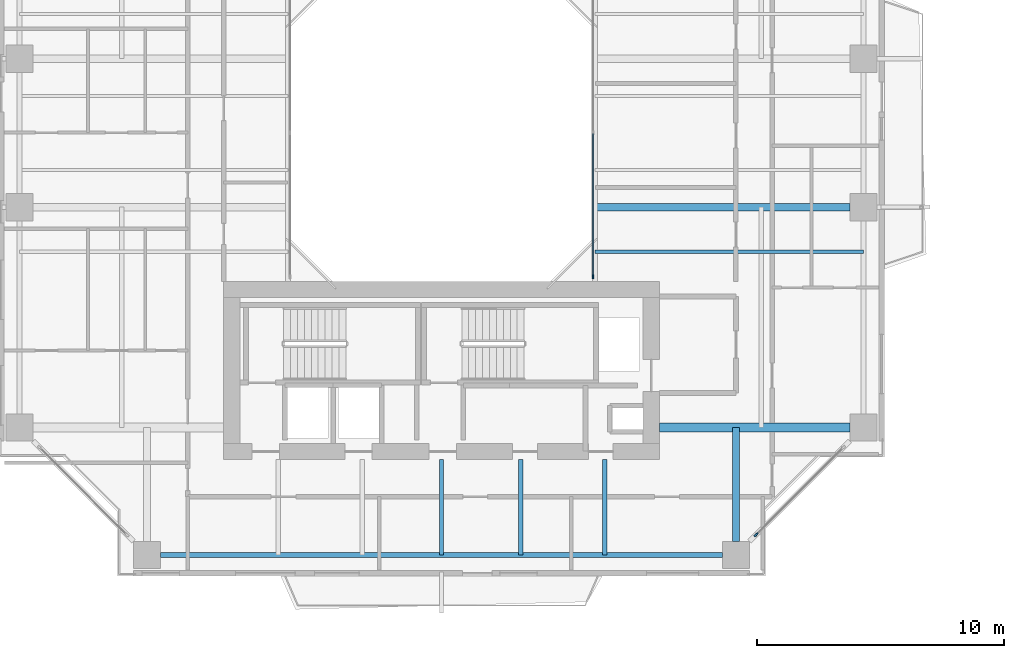
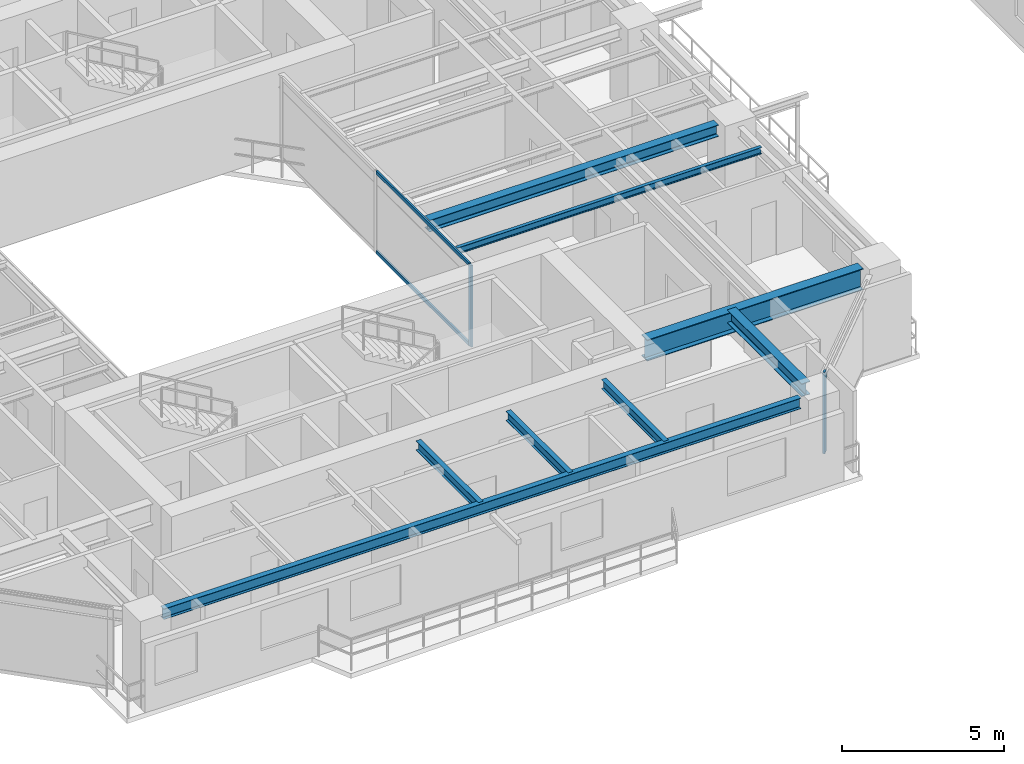
# One storey, part 4 of 24: 8 beams, 4 members, 2 elements without a shape of their own.
"""IFC4 building model written with IfcOpenShell, lengths in metres."""

import ifcopenshell
import ifcopenshell.guid

model = None  # the IFC model being written
_history = None  # IfcOwnerHistory: only IFC2X3 demands one
_inside = {}  # id of a spatial element -> (the spatial element, [elements in it])
_under = {}  # id of a project, library or spatial element -> (it, [spatial elements below it])
_declared = {}  # id of a project -> (the project, [libraries it declares])
_typed = {}  # id of a type object -> (the type object, [elements of that type])
_made_of = {}  # id of a material, layer set ... -> (it, [elements and type objects made of it])


def new_model(schema):
    """Start an empty IFC model of exactly this schema.

    Asked for "IFC4X3", IfcOpenShell would pick the latest addendum, in which some entities
    have other attributes; the version numbers below select the first issue.
    IFC2X3 requires an IfcOwnerHistory on every rooted entity: one is made here for all.
    """
    global model, _history
    if schema == "IFC4X3":
        model = ifcopenshell.file(schema_version=(4, 3, 0, 0))
    else:
        model = ifcopenshell.file(schema=schema)
    _inside.clear()
    _under.clear()
    _declared.clear()
    _typed.clear()
    _made_of.clear()
    _history = None
    if model.schema == "IFC2X3":
        org = make("IfcOrganization", Name="unknown")
        user = make(
            "IfcPersonAndOrganization",
            ThePerson=make("IfcPerson", FamilyName="unknown"),
            TheOrganization=org,
        )
        app = make(
            "IfcApplication",
            ApplicationDeveloper=org,
            Version="unknown",
            ApplicationFullName="unknown",
            ApplicationIdentifier="unknown",
        )
        _history = make(
            "IfcOwnerHistory",
            OwningUser=user,
            OwningApplication=app,
            ChangeAction="ADDED",
            CreationDate=0,
        )
    return model


def make(cls, **values):
    """One entity of the class cls with the attributes given. An attribute that is None is left unset."""
    return model.create_entity(
        cls, **{name: value for name, value in values.items() if value is not None}
    )


def rooted(cls, **values):
    """An entity with a GlobalId (a new one), such as an element, a storey or a relation."""
    return make(cls, GlobalId=ifcopenshell.guid.new(), OwnerHistory=_history, **values)


def si_unit(unit_type, name, prefix=None):
    """IfcSIUnit, for example si_unit("LENGTHUNIT", "METRE", prefix="MILLI")."""
    return make("IfcSIUnit", UnitType=unit_type, Prefix=prefix, Name=name)


def assignment(units):
    """IfcUnitAssignment: the units of a project."""
    return None if units is None else make("IfcUnitAssignment", Units=units)


def point(xyz):
    """IfcCartesianPoint."""
    return None if xyz is None else make("IfcCartesianPoint", Coordinates=xyz)


def direction(xyz):
    """IfcDirection."""
    return None if xyz is None else make("IfcDirection", DirectionRatios=xyz)


def frame(location, z_axis=None, x_axis=None):
    """IfcAxis2Placement3D, a coordinate frame: its origin and axes. An axis left out is left unset."""
    return make(
        "IfcAxis2Placement3D",
        Location=point(location),
        Axis=direction(z_axis),
        RefDirection=direction(x_axis),
    )


def frame_2d(location, x_axis=None):
    """IfcAxis2Placement2D, a coordinate frame in the plane: its origin and x axis."""
    return make(
        "IfcAxis2Placement2D", Location=point(location), RefDirection=direction(x_axis)
    )


def origin():
    """The frame at (0, 0, 0) with its axes left unset."""
    return frame((0.0, 0.0, 0.0))


def origin_2d():
    """The frame at (0, 0) in the plane with its x axis left unset."""
    return frame_2d((0.0, 0.0))


def place(relative_to, where):
    """IfcLocalPlacement: puts the frame where relative to a parent placement (None: the world)."""
    return make(
        "IfcLocalPlacement", PlacementRelTo=relative_to, RelativePlacement=where
    )


def context(
    kind, dimensions, precision=None, world=None, true_north=None, identifier=None
):
    """IfcGeometricRepresentationContext, for example the 3D "Model" context."""
    return make(
        "IfcGeometricRepresentationContext",
        ContextIdentifier=identifier,
        ContextType=kind,
        CoordinateSpaceDimension=dimensions,
        Precision=precision,
        WorldCoordinateSystem=world,
        TrueNorth=true_north,
    )


def subcontext(parent, identifier, kind, view, scale=None):
    """IfcGeometricRepresentationSubContext, for example "Body" below "Model"."""
    return make(
        "IfcGeometricRepresentationSubContext",
        ContextIdentifier=identifier,
        ContextType=kind,
        ParentContext=parent,
        TargetScale=scale,
        TargetView=view,
    )


def project(units=None, contexts=None):
    """IfcProject with its units and contexts."""
    return rooted(
        "IfcProject",
        Name="project",
        RepresentationContexts=contexts,
        UnitsInContext=assignment(units),
    )


def spatial(cls, under=None, at=None, **own):
    """A site, building, storey or space (cls), placed at a placement, below another one or the project."""
    s = rooted(cls, ObjectPlacement=at, **own)
    if under is not None:
        _under.setdefault(under.id(), (under, []))[1].append(s)
    return s


def profile(cls, at=None, kind="AREA", **sizes):
    """A parametric profile (cls). Its sizes go by their IFC names, for example OverallWidth=200.0."""
    return make(cls, ProfileType=kind, Position=at, **sizes)


def rectangle(**sizes):
    """IfcRectangleProfileDef."""
    return profile("IfcRectangleProfileDef", **sizes)


def i_section(**sizes):
    """IfcIShapeProfileDef."""
    return profile("IfcIShapeProfileDef", **sizes)


def extrude(swept, where, along, depth):
    """IfcExtrudedAreaSolid: the profile swept, set in the frame where, extruded along a direction by depth."""
    return make(
        "IfcExtrudedAreaSolid",
        SweptArea=swept,
        Position=where,
        ExtrudedDirection=direction(along),
        Depth=depth,
    )


def shape(context_of_items, identifier, shape_type, items):
    """IfcShapeRepresentation: the items that make up one representation, for example the "Body"."""
    return make(
        "IfcShapeRepresentation",
        ContextOfItems=context_of_items,
        RepresentationIdentifier=identifier,
        RepresentationType=shape_type,
        Items=items,
    )


def source(mapping_origin, context_of_items, identifier, shape_type, items):
    """IfcRepresentationMap: a shape defined once, which mapped items show again and again."""
    return make(
        "IfcRepresentationMap",
        MappingOrigin=mapping_origin,
        MappedRepresentation=shape(context_of_items, identifier, shape_type, items),
    )


def transform(
    local_origin,
    x_axis=None,
    y_axis=None,
    z_axis=None,
    scale=None,
    scale2=None,
    scale3=None,
    uniform=True,
):
    """IfcCartesianTransformationOperator3D, or its non-uniform kind. x_axis, y_axis, z_axis: its Axis1, 2, 3."""
    if uniform:
        return make(
            "IfcCartesianTransformationOperator3D",
            Axis1=direction(x_axis),
            Axis2=direction(y_axis),
            LocalOrigin=point(local_origin),
            Scale=scale,
            Axis3=direction(z_axis),
        )
    return make(
        "IfcCartesianTransformationOperator3DnonUniform",
        Axis1=direction(x_axis),
        Axis2=direction(y_axis),
        LocalOrigin=point(local_origin),
        Scale=scale,
        Axis3=direction(z_axis),
        Scale2=scale2,
        Scale3=scale3,
    )


def mapped(mapping_source, mapping_target):
    """IfcMappedItem: shows the shape of a source again, moved by a transform."""
    return make(
        "IfcMappedItem", MappingSource=mapping_source, MappingTarget=mapping_target
    )


def material(Name=None, Category=None):
    """IfcMaterial."""
    return make("IfcMaterial", Name=Name, Category=Category)


def layer(
    of_material, thickness, ventilated=None, Name=None, Category=None, Priority=None
):
    """IfcMaterialLayer: one layer of a wall or slab, of a material (None: an air gap)."""
    return make(
        "IfcMaterialLayer",
        Material=of_material,
        LayerThickness=thickness,
        IsVentilated=ventilated,
        Name=Name,
        Category=Category,
        Priority=Priority,
    )


def layer_set(layers, Name=None):
    """IfcMaterialLayerSet."""
    return make("IfcMaterialLayerSet", MaterialLayers=layers, LayerSetName=Name)


def material_profile(
    of_material, cross_section, Name=None, Category=None, Priority=None
):
    """IfcMaterialProfile: a cross section and its material."""
    return make(
        "IfcMaterialProfile",
        Name=Name,
        Material=of_material,
        Profile=cross_section,
        Priority=Priority,
        Category=Category,
    )


def profile_set(profiles, Name=None, composite=None):
    """IfcMaterialProfileSet."""
    return make(
        "IfcMaterialProfileSet",
        Name=Name,
        MaterialProfiles=profiles,
        CompositeProfile=composite,
    )


def made_of(thing, what):
    """Note that an element or type object is made of a material, layer set ...; save() writes the relation."""
    if what is not None:
        _made_of.setdefault(what.id(), (what, []))[1].append(thing)
    return thing


def type_object(cls, material=None, **own):
    """A type object (cls), such as IfcWallType, which elements share."""
    return made_of(rooted(cls, **own), material)


def element(
    cls,
    number,
    at=None,
    inside=None,
    cuts=None,
    type_object=None,
    material=None,
    context=None,
    identifier="Body",
    shape_type=None,
    held_by="IfcProductDefinitionShape",
    body=None,
    shapes=None,
    **own,
):
    """One element of the class cls, such as IfcWall. Its Tag is "e" and its number.

    at: its placement. inside: the storey or other place that contains it. cuts: it is an
    opening in that element (IfcRelVoidsElement). A single representation is given by context,
    identifier, shape_type and body (its items); several are given by shapes. held_by: the class
    of the entity that holds the representations. save() writes the other relations.
    """
    e = rooted(cls, Tag="e%d" % number, ObjectPlacement=at, **own)
    if body is not None:
        shapes = [shape(context, identifier, shape_type, body)]
    if shapes is not None:
        e.Representation = make(held_by, Representations=shapes)
    if inside is not None:
        _inside.setdefault(inside.id(), (inside, []))[1].append(e)
    if cuts is not None:
        rooted(
            "IfcRelVoidsElement", RelatingBuildingElement=cuts, RelatedOpeningElement=e
        )
    if type_object is not None:
        _typed.setdefault(type_object.id(), (type_object, []))[1].append(e)
    return made_of(e, material)


def aggregate(whole, parts):
    """IfcRelAggregates: a whole, such as a stair, and the parts it consists of."""
    return rooted("IfcRelAggregates", RelatingObject=whole, RelatedObjects=parts)


def save(model, path):
    """Write the relations noted so far, then the file.

    IfcRelAggregates (storeys below a building ...), IfcRelContainedInSpatialStructure (elements
    in a storey), IfcRelDefinesByType, IfcRelAssociatesMaterial and IfcRelDeclares: one each for
    every whole, place, type object, material and project.
    """
    for whole, parts in _under.values():
        aggregate(whole, parts)
    for where, things in _inside.values():
        rooted(
            "IfcRelContainedInSpatialStructure",
            RelatedElements=things,
            RelatingStructure=where,
        )
    for kind, things in _typed.values():
        rooted("IfcRelDefinesByType", RelatedObjects=things, RelatingType=kind)
    for what, things in _made_of.values():
        rooted("IfcRelAssociatesMaterial", RelatedObjects=things, RelatingMaterial=what)
    for by, libraries in _declared.values():
        rooted("IfcRelDeclares", RelatingContext=by, RelatedDefinitions=libraries)
    model.write(path)


model = new_model("IFC4")

# Units and contexts
model_context = context("Model", 3, precision=1e-05, world=origin(), true_north=direction((0.0, 1.0)))
body_context = subcontext(model_context, "Body", "Model", "MODEL_VIEW")
ifc_project = project(units=[si_unit("LENGTHUNIT", "METRE"), si_unit("AREAUNIT", "SQUARE_METRE"), si_unit("VOLUMEUNIT", "CUBIC_METRE"), si_unit("PLANEANGLEUNIT", "RADIAN"), si_unit("MASSUNIT", "GRAM", prefix="KILO"), si_unit("THERMODYNAMICTEMPERATUREUNIT", "KELVIN"), si_unit("POWERUNIT", "WATT")], contexts=[model_context])

# Site, building, storey
site_placement = place(None, origin())
site = spatial("IfcSite", under=ifc_project, at=site_placement, CompositionType="ELEMENT")
building_placement = place(site_placement, origin())
building = spatial("IfcBuilding", under=site, at=building_placement, Name="Qiaomeng Ring Towers", CompositionType="ELEMENT")
storey_placement = place(building_placement, frame((0.0, 0.0, 106.75)))
storey = spatial("IfcBuildingStorey", under=building, at=storey_placement, Name="L30", CompositionType="ELEMENT", Elevation=106.75)

# Beams
ifc_material_1 = material(Name="Steel Q355B", Category="steel")
ifc_material_profile_1 = material_profile(ifc_material_1, i_section(OverallWidth=0.199951171875, OverallDepth=0.39990234375, WebThickness=0.008056640625, FlangeThickness=0.012939453125, FilletRadius=0.01611328125, at=origin_2d()), Name="HN 400x200x8x13")
ifc_profile_set_1 = profile_set([ifc_material_profile_1], Name="Steel Q355B")
beam_type_1 = type_object("IfcBeamType", Name="STR-BM-HN400", PredefinedType="SPANDREL", material=ifc_profile_set_1)
shared_shape_1 = source(origin(), body_context, "Body", "SweptSolid", [
    extrude(i_section(OverallWidth=0.199951171875, OverallDepth=0.39990234375, WebThickness=0.008056640625, FlangeThickness=0.012939453125, FilletRadius=0.01611328125, at=origin_2d()), origin(), (0.0, 0.0, 1.0), 22.7021484375),
])
beam_1_placement = place(storey_placement, frame((7.64892578125, 5.949951171875, 2.8701171875), z_axis=(1.0, 0.0, 0.0), x_axis=(0.0, 1.0, 0.0)))
element("IfcBeam", 1, at=beam_1_placement, inside=storey, type_object=beam_type_1, Name="L30 beam STR-SP-L30-T1-S1-S2", PredefinedType="SPANDREL", context=body_context, shape_type="MappedRepresentation", body=[
    mapped(shared_shape_1, transform((0.0, 0.0, 0.0), x_axis=(1.0, 0.0, 0.0), y_axis=(0.0, 1.0, 0.0), z_axis=(0.0, 0.0, 1.0), scale=1.0)),
])
ifc_material_2 = material(Name="Steel Q390GJC", Category="steel")
ifc_material_profile_2 = material_profile(ifc_material_2, i_section(OverallWidth=0.35009765625, OverallDepth=0.800048828125, WebThickness=0.01611328125, FlangeThickness=0.028076171875, at=origin_2d()), Name="WH 800x350x16x28")
ifc_profile_set_2 = profile_set([ifc_material_profile_2], Name="Steel Q390GJC")
beam_type_2 = type_object("IfcBeamType", Name="STR-BM-WH800", PredefinedType="BEAM", material=ifc_profile_set_2)
shared_shape_2 = source(origin(), body_context, "Body", "SweptSolid", [
    extrude(i_section(OverallWidth=0.35009765625, OverallDepth=0.800048828125, WebThickness=0.01611328125, FlangeThickness=0.028076171875, at=origin_2d()), origin(), (0.0, 0.0, 1.0), 7.700927734375),
])
beam_2_placement = place(storey_placement, frame((27.800048828125, 11.10009765625, 2.669921875), z_axis=(1.0, 0.0, 0.0), x_axis=(0.0, 1.0, 0.0)))
element("IfcBeam", 2, at=beam_2_placement, inside=storey, type_object=beam_type_2, Name="L30 beam STR-BM-L30-T1-RAD-E1", PredefinedType="BEAM", context=body_context, shape_type="MappedRepresentation", body=[
    mapped(shared_shape_2, transform((0.0, 0.0, 0.0), x_axis=(1.0, 0.0, 0.0), y_axis=(0.0, 1.0, 0.0), z_axis=(0.0, 0.0, 1.0), scale=1.0)),
])
ifc_material_profile_3 = material_profile(ifc_material_1, i_section(OverallWidth=0.300048828125, OverallDepth=0.488037109375, WebThickness=0.010986328125, FlangeThickness=0.01806640625, FilletRadius=0.02587890625, at=origin_2d()), Name="HM 488x300x11x18")
ifc_profile_set_3 = profile_set([ifc_material_profile_3], Name="Steel Q355B")
beam_type_3 = type_object("IfcBeamType", Name="STR-BM-HM488", PredefinedType="BEAM", material=ifc_profile_set_3)
shared_shape_3 = source(origin(), body_context, "Body", "SweptSolid", [
    extrude(i_section(OverallWidth=0.300048828125, OverallDepth=0.488037109375, WebThickness=0.010986328125, FlangeThickness=0.01806640625, FilletRadius=0.02587890625, at=origin_2d()), origin(), (0.0, 0.0, 1.0), 4.60107421875),
])
beam_3_placement = place(storey_placement, frame((30.89990234375, 6.4990234375, 2.825927734375), z_axis=(0.0, 1.0, 0.0), x_axis=(-1.0, 0.0, 0.0)))
element("IfcBeam", 3, at=beam_3_placement, inside=storey, type_object=beam_type_3, Name="L30 beam STR-BM-L30-T1-RAD-S2", PredefinedType="BEAM", context=body_context, shape_type="MappedRepresentation", body=[
    mapped(shared_shape_3, transform((0.0, 0.0, 0.0), x_axis=(1.0, 0.0, 0.0), y_axis=(0.0, 1.0, 0.0), z_axis=(0.0, 0.0, 1.0), scale=1.0)),
])
ifc_material_profile_4 = material_profile(ifc_material_1, i_section(OverallWidth=0.300048828125, OverallDepth=0.43994140625, WebThickness=0.010986328125, FlangeThickness=0.01806640625, FilletRadius=0.02392578125, at=origin_2d()), Name="HM 440x300x11x18")
ifc_profile_set_4 = profile_set([ifc_material_profile_4], Name="Steel Q355B")
beam_type_4 = type_object("IfcBeamType", Name="STR-BM-HM440", PredefinedType="BEAM", material=ifc_profile_set_4)
shared_shape_4 = source(origin(), body_context, "Body", "SweptSolid", [
    extrude(i_section(OverallWidth=0.300048828125, OverallDepth=0.43994140625, WebThickness=0.010986328125, FlangeThickness=0.01806640625, FilletRadius=0.02392578125, at=origin_2d()), origin(), (0.0, 0.0, 1.0), 10.301025390625),
])
beam_4_placement = place(storey_placement, frame((25.199951171875, 20.0, 2.85009765625), z_axis=(1.0, 0.0, 0.0), x_axis=(0.0, 1.0, 0.0)))
element("IfcBeam", 4, at=beam_4_placement, inside=storey, type_object=beam_type_4, Name="L30 beam STR-BM-L30-T1-RAD-E2", PredefinedType="BEAM", context=body_context, shape_type="MappedRepresentation", body=[
    mapped(shared_shape_4, transform((0.0, 0.0, 0.0), x_axis=(1.0, 0.0, 0.0), y_axis=(0.0, 1.0, 0.0), z_axis=(0.0, 0.0, 1.0), scale=1.0)),
])
ifc_material_profile_5 = material_profile(ifc_material_1, i_section(OverallWidth=0.175048828125, OverallDepth=0.35009765625, WebThickness=0.007080078125, FlangeThickness=0.010986328125, FilletRadius=0.013916015625, at=origin_2d()), Name="HN 350x175x7x11")
ifc_profile_set_5 = profile_set([ifc_material_profile_5], Name="Steel Q355B")
beam_type_5 = type_object("IfcBeamType", Name="STR-BM-HN350", PredefinedType="JOIST", material=ifc_profile_set_5)
shared_shape_5 = source(origin(), body_context, "Body", "SweptSolid", [
    extrude(i_section(OverallWidth=0.175048828125, OverallDepth=0.35009765625, WebThickness=0.007080078125, FlangeThickness=0.010986328125, FilletRadius=0.013916015625, at=origin_2d()), origin(), (0.0, 0.0, 1.0), 3.85009765625),
])
for number, where, z_axis, x_axis, name in (
    (5, (19.0, 5.949951171875, 2.89501953125), (0.0, 1.0, 0.0), (-1.0, 0.0, 0.0), "L30 beam STR-JST-L30-T1S-3"),
    (6, (22.199951171875, 5.949951171875, 2.89501953125), (0.0, 1.0, 0.0), (-1.0, 0.0, 0.0), "L30 beam STR-JST-L30-T1S-4"),
    (7, (25.60009765625, 5.949951171875, 2.89501953125), (0.0, 1.0, 0.0), (-1.0, 0.0, 0.0), "L30 beam STR-JST-L30-T1S-5"),
):
    element("IfcBeam", number, at=place(storey_placement, frame(where, z_axis=z_axis, x_axis=x_axis)), inside=storey, type_object=beam_type_5, Name=name, PredefinedType="JOIST", context=body_context, shape_type="MappedRepresentation", body=[
        mapped(shared_shape_5, transform((0.0, 0.0, 0.0), x_axis=(1.0, 0.0, 0.0), y_axis=(0.0, 1.0, 0.0), z_axis=(0.0, 0.0, 1.0), scale=1.0)),
    ])
ifc_material_profile_6 = material_profile(ifc_material_1, i_section(OverallWidth=0.125, OverallDepth=0.25, WebThickness=0.006103515625, FlangeThickness=0.009033203125, FilletRadius=0.011962890625, at=origin_2d()), Name="HN 250x125x6x9")
ifc_profile_set_6 = profile_set([ifc_material_profile_6], Name="Steel Q355B")
beam_type_6 = type_object("IfcBeamType", Name="STR-BM-HN250", PredefinedType="JOIST", material=ifc_profile_set_6)
shared_shape_6 = source(origin(), body_context, "Body", "SweptSolid", [
    extrude(i_section(OverallWidth=0.125, OverallDepth=0.25, WebThickness=0.006103515625, FlangeThickness=0.009033203125, FilletRadius=0.011962890625, at=origin_2d()), origin(), (0.0, 0.0, 1.0), 10.85009765625),
])
beam_5_placement = place(storey_placement, frame((25.199951171875, 18.199951171875, 2.945068359375), z_axis=(1.0, 0.0, 0.0), x_axis=(0.0, 1.0, 0.0)))
element("IfcBeam", 8, at=beam_5_placement, inside=storey, type_object=beam_type_6, Name="L30 beam STR-JST-L30-T1E-1", PredefinedType="JOIST", context=body_context, shape_type="MappedRepresentation", body=[
    mapped(shared_shape_6, transform((0.0, 0.0, 0.0), x_axis=(1.0, 0.0, 0.0), y_axis=(0.0, 1.0, 0.0), z_axis=(0.0, 0.0, 1.0), scale=1.0)),
])

# Curtain wall, members
ifc_material_3 = material(Name="Fluorocarbon dark-grey aluminium", Category="aluminium")
ifc_layer_1 = layer(ifc_material_3, 0.139892578125, Name="Fluorocarbon dark-grey aluminium")
ifc_layer_set_1 = layer_set([ifc_layer_1], Name="Fluorocarbon dark-grey aluminium")
curtain_wall_type_1 = type_object("IfcCurtainWallType", Name="ARC-CW-4", PredefinedType="NOTDEFINED", material=ifc_layer_set_1)
curtain_wall_1_placement = place(storey_placement, origin())
curtain_wall_1 = element("IfcCurtainWall", 9, at=curtain_wall_1_placement, inside=storey, type_object=curtain_wall_type_1, Name="L30 Curtain Wall CW4", PredefinedType="NOTDEFINED")
ifc_material_profile_7 = material_profile(ifc_material_3, rectangle(XDim=0.06494140625, YDim=0.159912109375, at=origin_2d()), Name="ALU MULL 65x160")
ifc_profile_set_7 = profile_set([ifc_material_profile_7], Name="Fluorocarbon dark-grey aluminium")
member_type_1 = type_object("IfcMemberType", Name="ARC-CWM-140", PredefinedType="MULLION", material=ifc_profile_set_7)
shared_shape_7 = source(origin(), body_context, "Body", "SweptSolid", [
    extrude(rectangle(XDim=0.06494140625, YDim=0.159912109375, at=origin_2d()), origin(), (0.0, 0.0, 1.0), 3.070068359375),
])
member_1_placement = place(storey_placement, frame((25.1201171875, 17.1826171875, 0.0), z_axis=(0.0, 0.0, 1.0), x_axis=(-1.0, 0.0, 0.0)))
member_1 = element("IfcMember", 10, at=member_1_placement, type_object=member_type_1, Name="CW4 mullion 1", PredefinedType="MULLION", context=body_context, shape_type="MappedRepresentation", body=[
    mapped(shared_shape_7, transform((0.0, 0.0, 0.0), x_axis=(1.0, 0.0, 0.0), y_axis=(0.0, 1.0, 0.0), z_axis=(0.0, 0.0, 1.0), scale=1.0)),
])
ifc_material_profile_8 = material_profile(ifc_material_3, rectangle(XDim=0.06494140625, YDim=0.1298828125, at=origin_2d()), Name="ALU TRAN 65x130")
ifc_profile_set_8 = profile_set([ifc_material_profile_8], Name="Fluorocarbon dark-grey aluminium")
member_type_2 = type_object("IfcMemberType", Name="ARC-CWT-120", PredefinedType="USERDEFINED", material=ifc_profile_set_8)
shared_shape_8 = source(origin(), body_context, "Body", "SweptSolid", [
    extrude(rectangle(XDim=0.06494140625, YDim=0.1298828125, at=origin_2d()), origin(), (0.0, 0.0, 1.0), 5.75244140625),
])
member_2_placement = place(storey_placement, frame((25.1201171875, 17.215087890625, 0.032470703125), z_axis=(0.0, 1.0, 0.0), x_axis=(-1.0, 0.0, 0.0)))
member_2 = element("IfcMember", 11, at=member_2_placement, type_object=member_type_2, Name="CW4 transom 1.1", ObjectType="TRANSOM", PredefinedType="USERDEFINED", context=body_context, shape_type="MappedRepresentation", body=[
    mapped(shared_shape_8, transform((0.0, 0.0, 0.0), x_axis=(1.0, 0.0, 0.0), y_axis=(0.0, 1.0, 0.0), z_axis=(0.0, 0.0, 1.0), scale=1.0)),
])
member_3_placement = place(storey_placement, frame((25.1201171875, 17.215087890625, 3.03759765625), z_axis=(0.0, 1.0, 0.0), x_axis=(-1.0, 0.0, 0.0)))
member_3 = element("IfcMember", 12, at=member_3_placement, type_object=member_type_2, Name="CW4 transom 1.2", ObjectType="TRANSOM", PredefinedType="USERDEFINED", context=body_context, shape_type="MappedRepresentation", body=[
    mapped(shared_shape_8, transform((0.0, 0.0, 0.0), x_axis=(1.0, 0.0, 0.0), y_axis=(0.0, 1.0, 0.0), z_axis=(0.0, 0.0, 1.0), scale=1.0)),
])
aggregate(curtain_wall_1, [member_1, member_2, member_3])

# Curtain wall, member
ifc_layer_2 = layer(ifc_material_3, 0.14990234375, Name="Fluorocarbon dark-grey aluminium")
ifc_layer_set_2 = layer_set([ifc_layer_2], Name="Fluorocarbon dark-grey aluminium")
curtain_wall_type_2 = type_object("IfcCurtainWallType", Name="ARC-CW-3", PredefinedType="NOTDEFINED", material=ifc_layer_set_2)
curtain_wall_2_placement = place(storey_placement, origin())
curtain_wall_2 = element("IfcCurtainWall", 13, at=curtain_wall_2_placement, inside=storey, type_object=curtain_wall_type_2, Name="L30 Curtain Wall CW3", PredefinedType="NOTDEFINED")
ifc_material_profile_9 = material_profile(ifc_material_3, rectangle(XDim=0.070068359375, YDim=0.179931640625, at=origin_2d()), Name="ALU MULL 70x180")
ifc_profile_set_9 = profile_set([ifc_material_profile_9], Name="Fluorocarbon dark-grey aluminium")
member_type_3 = type_object("IfcMemberType", Name="ARC-CWM-160", PredefinedType="MULLION", material=ifc_profile_set_9)
shared_shape_9 = source(origin(), body_context, "Body", "SweptSolid", [
    extrude(rectangle(XDim=0.070068359375, YDim=0.179931640625, at=origin_2d()), origin(), (0.0, 0.0, 1.0), 3.070068359375),
])
member_4_placement = place(storey_placement, frame((31.71484375, 6.7646484375, 0.0), z_axis=(0.0, 0.0, 1.0), x_axis=(-0.707106781187, 0.707106781187, 0.0)))
member_4 = element("IfcMember", 14, at=member_4_placement, type_object=member_type_3, Name="CW3 mullion 1", PredefinedType="MULLION", context=body_context, shape_type="MappedRepresentation", body=[
    mapped(shared_shape_9, transform((0.0, 0.0, 0.0), x_axis=(1.0, 0.0, 0.0), y_axis=(0.0, 1.0, 0.0), z_axis=(0.0, 0.0, 1.0), scale=1.0)),
])
aggregate(curtain_wall_2, [member_4])

save(model, "model.ifc")
